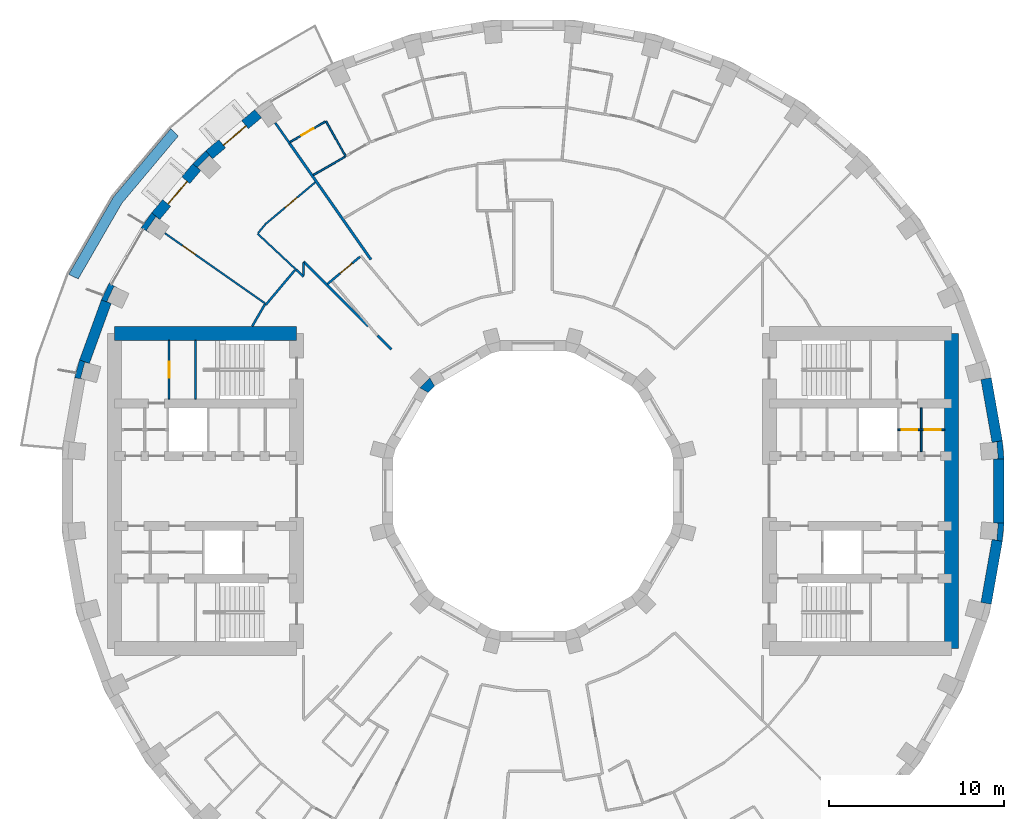
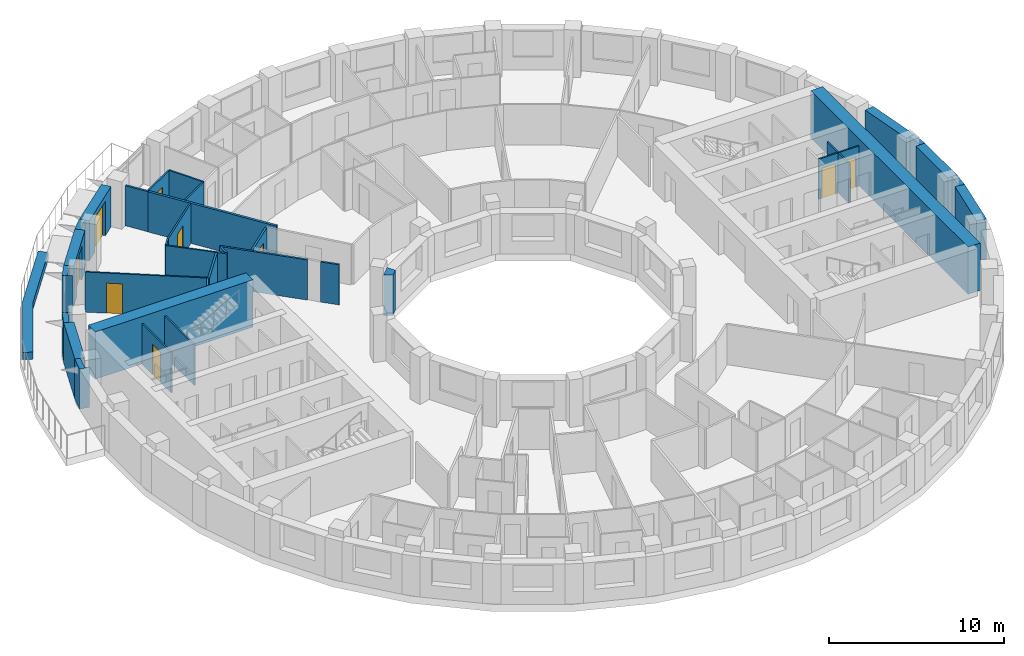
# One storey, part 10 of 14: 37 walls, 9 doors, 9 openings.
"""IFC4 building model written with IfcOpenShell, lengths in metres."""

from ifc_helpers import new_model, si_unit, direction, frame, frame_2d, origin, place, context, subcontext, project, spatial, polyline, rectangle, outline, extrude, material, layer, layer_set, type_object, element, fill, save


model = new_model("IFC4")

# Units and contexts
model_context = context("Model", 3, precision=1e-05, world=origin(), true_north=direction((0.0, 1.0)))
body_context = subcontext(model_context, "Body", "Model", "MODEL_VIEW")
ifc_project = project(units=[si_unit("LENGTHUNIT", "METRE"), si_unit("AREAUNIT", "SQUARE_METRE"), si_unit("VOLUMEUNIT", "CUBIC_METRE"), si_unit("PLANEANGLEUNIT", "RADIAN"), si_unit("MASSUNIT", "GRAM", prefix="KILO")], contexts=[model_context])

# Site, building, storey
site_placement = place(None, origin())
site = spatial("IfcSite", under=ifc_project, at=site_placement, CompositionType="ELEMENT")
building_placement = place(site_placement, origin())
building = spatial("IfcBuilding", under=site, at=building_placement, Name="Saqina Gate Tower", CompositionType="ELEMENT")
storey_placement = place(building_placement, frame((0.0, 0.0, 105.10009765625)))
storey = spatial("IfcBuildingStorey", under=building, at=storey_placement, Name="L29", CompositionType="ELEMENT", Elevation=105.10009765625)

# Walls
ifc_material_1 = material(Name="Brick masonry (buff)", Category="masonry")
wall_type_1 = type_object("IfcWallType", Name="BRICK PIER COPING BUFF", PredefinedType="SOLIDWALL", material=ifc_material_1)
wall_1_placement = place(storey_placement, origin())
element("IfcWall", 1, at=wall_1_placement, inside=storey, type_object=wall_type_1, Name="Pier cap L29 column 1", PredefinedType="SOLIDWALL", context=body_context, shape_type="SweptSolid", body=[
    extrude(outline(polyline([(26.805419921875, 2.87451171875), (26.214599609375, 2.770263671875), (26.482421875, 2.793701171875), (26.565185546875, 1.847412109375), (26.29736328125, 1.823974609375), (26.897216796875, 1.823974609375), (26.805419921875, 2.87451171875)])), origin(), (0.0, 0.0, 1.0), 2.7998046875),
])
wall_2_placement = place(storey_placement, origin())
element("IfcWall", 2, at=wall_2_placement, inside=storey, type_object=wall_type_1, Name="Pier cap L29 column 14", PredefinedType="SOLIDWALL", context=body_context, shape_type="SweptSolid", body=[
    extrude(outline(polyline([(-18.686279296875, 19.43212890625), (-19.43212890625, 18.686279296875), (-18.972412109375, 18.30078125), (-19.16259765625, 18.49072265625), (-18.49072265625, 19.16259765625), (-18.30078125, 18.972412109375), (-18.686279296875, 19.43212890625)])), origin(), (0.0, 0.0, 1.0), 2.7998046875),
])
wall_3_placement = place(storey_placement, origin())
element("IfcWall", 3, at=wall_3_placement, inside=storey, type_object=wall_type_1, Name="Pier cap L29 column 15", PredefinedType="SOLIDWALL", context=body_context, shape_type="SweptSolid", body=[
    extrude(outline(polyline([(-22.3818359375, 15.0283203125), (-21.862060546875, 14.728271484375), (-22.08251953125, 14.88232421875), (-21.53759765625, 15.66064453125), (-21.317138671875, 15.50634765625), (-21.77685546875, 15.89208984375), (-22.3818359375, 15.0283203125)])), origin(), (0.0, 0.0, 1.0), 2.7998046875),
])
wall_4_placement = place(storey_placement, origin())
element("IfcWall", 4, at=wall_4_placement, inside=storey, type_object=wall_type_1, Name="Pier cap L29 column 16", PredefinedType="SOLIDWALL", context=body_context, shape_type="SweptSolid", body=[
    extrude(outline(polyline([(-24.6513671875, 10.913330078125), (-24.08740234375, 10.7080078125), (-24.331298828125, 10.82177734375), (-23.9296875, 11.6826171875), (-23.68603515625, 11.569091796875), (-24.205810546875, 11.869140625), (-24.6513671875, 10.913330078125)])), origin(), (0.0, 0.0, 1.0), 2.7998046875),
])
wall_5_placement = place(storey_placement, origin())
element("IfcWall", 5, at=wall_5_placement, inside=storey, type_object=wall_type_1, Name="Pier cap L29 column 17", PredefinedType="SOLIDWALL", context=body_context, shape_type="SweptSolid", body=[
    extrude(outline(polyline([(-25.89892578125, 7.485595703125), (-26.171875, 6.466796875), (-25.5810546875, 6.36279296875), (-25.8408203125, 6.43212890625), (-25.5947265625, 7.349853515625), (-25.335205078125, 7.2802734375), (-25.89892578125, 7.485595703125)])), origin(), (0.0, 0.0, 1.0), 2.7998046875),
])
wall_6_placement = place(storey_placement, origin())
element("IfcWall", 6, at=wall_6_placement, inside=storey, type_object=wall_type_1, Name="Pier cap L29 column 36", PredefinedType="SOLIDWALL", context=body_context, shape_type="SweptSolid", body=[
    extrude(outline(polyline([(26.805419921875, -2.87451171875), (26.897216796875, -1.823974609375), (26.29736328125, -1.823974609375), (26.565185546875, -1.847412109375), (26.482421875, -2.793701171875), (26.214599609375, -2.770263671875), (26.805419921875, -2.87451171875)])), origin(), (0.0, 0.0, 1.0), 2.7998046875),
])
ifc_material_2 = material(Name="Gypsum board on steel studs", Category="steel")
ifc_layer_1 = layer(ifc_material_2, 0.10009765625)
ifc_layer_set_1 = layer_set([ifc_layer_1], Name="CORE PARTITION")
wall_type_2 = type_object("IfcWallType", Name="CORE PARTITION", PredefinedType="PARTITIONING", material=ifc_layer_set_1)
wall_7_placement = place(storey_placement, frame((22.169921875, 2.25, 0.0), z_axis=(0.0, 0.0, 1.0), x_axis=(0.0, 1.0, 0.0)))
element("IfcWall", 7, at=wall_7_placement, inside=storey, type_object=wall_type_2, Name="L29-CP-E05", PredefinedType="PARTITIONING", context=body_context, shape_type="SweptSolid", body=[
    extrude(rectangle(XDim=2.5, YDim=0.10009765625, at=frame_2d((1.25, 0.0))), origin(), (0.0, 0.0, 1.0), 2.7998046875),
])

# Wall, opening, door
wall_8_placement = place(storey_placement, frame((20.840087890625, 3.5, 0.0), z_axis=(0.0, 0.0, 1.0), x_axis=(1.0, 0.0, 0.0)))
wall_8 = element("IfcWall", 8, at=wall_8_placement, inside=storey, type_object=wall_type_2, Name="L29-CP-E09", PredefinedType="PARTITIONING", context=body_context, shape_type="SweptSolid", body=[
    extrude(rectangle(XDim=1.329833984375, YDim=0.10009765625, at=frame_2d((0.6650390625, 0.0))), origin(), (0.0, 0.0, 1.0), 2.7998046875),
])
opening_1_placement = place(wall_8_placement, frame((0.215087890625, 0.0, 0.0)))
opening_1 = element("IfcOpeningElement", 9, at=opening_1_placement, cuts=wall_8, Name="Opening G08-D99", PredefinedType="OPENING", context=body_context, shape_type="SweptSolid", body=[
    extrude(rectangle(XDim=0.89990234375, YDim=2.10009765625, at=frame_2d((0.449951171875, 1.050048828125))), frame((0.0, 0.06201171875, 0.0), z_axis=(0.0, -1.0, 0.0), x_axis=(1.0, 0.0, 0.0)), (0.0, 0.0, 1.0), 0.1240234375),
])
ifc_material_3 = material(Name="Steel-framed fire door leaf, EI 60", Category="steel")
door_type_1 = type_object("IfcDoorType", Name="SERVICE ROOM DOOR 900", OperationType="SINGLE_SWING_LEFT", PredefinedType="DOOR", material=ifc_material_3)
door_1_placement = place(opening_1_placement, origin())
door_1 = element("IfcDoor", 10, at=door_1_placement, inside=storey, type_object=door_type_1, Name="L29-CD-E10", OperationType="SINGLE_SWING_LEFT", OverallHeight=2.10009765625, OverallWidth=0.89990234375, PredefinedType="DOOR", context=body_context, shape_type="SweptSolid", body=[
    extrude(rectangle(XDim=0.89990234375, YDim=2.10009765625, at=frame_2d((0.449951171875, 1.050048828125))), frame((0.0, 0.02490234375, 0.0), z_axis=(0.0, -1.0, 0.0), x_axis=(1.0, 0.0, 0.0)), (0.0, 0.0, 1.0), 0.050048828125),
])
fill(opening_1, door_1)

wall_9_placement = place(storey_placement, frame((22.169921875, 3.5, 0.0), z_axis=(0.0, 0.0, 1.0), x_axis=(1.0, 0.0, 0.0)))
wall_9 = element("IfcWall", 11, at=wall_9_placement, inside=storey, type_object=wall_type_2, Name="L29-CP-E10", PredefinedType="PARTITIONING", context=body_context, shape_type="SweptSolid", body=[
    extrude(rectangle(XDim=1.330078125, YDim=0.10009765625, at=frame_2d((0.6650390625, 0.0))), origin(), (0.0, 0.0, 1.0), 2.7998046875),
])
opening_2_placement = place(wall_9_placement, frame((0.215087890625, 0.0, 0.0)))
opening_2 = element("IfcOpeningElement", 12, at=opening_2_placement, cuts=wall_9, Name="Opening G08-D98", PredefinedType="OPENING", context=body_context, shape_type="SweptSolid", body=[
    extrude(rectangle(XDim=0.89990234375, YDim=2.10009765625, at=frame_2d((0.449951171875, 1.050048828125))), frame((0.0, 0.06201171875, 0.0), z_axis=(0.0, -1.0, 0.0), x_axis=(1.0, 0.0, 0.0)), (0.0, 0.0, 1.0), 0.1240234375),
])
door_2_placement = place(opening_2_placement, origin())
door_2 = element("IfcDoor", 13, at=door_2_placement, inside=storey, type_object=door_type_1, Name="L29-CD-E09", OperationType="SINGLE_SWING_RIGHT", OverallHeight=2.10009765625, OverallWidth=0.89990234375, PredefinedType="DOOR", context=body_context, shape_type="SweptSolid", body=[
    extrude(rectangle(XDim=0.89990234375, YDim=2.10009765625, at=frame_2d((0.449951171875, 1.050048828125))), frame((0.0, 0.02490234375, 0.0), z_axis=(0.0, -1.0, 0.0), x_axis=(1.0, 0.0, 0.0)), (0.0, 0.0, 1.0), 0.050048828125),
])
fill(opening_2, door_2)

wall_10_placement = place(storey_placement, frame((-20.782958984375, 5.25, 0.0), z_axis=(0.0, 0.0, 1.0), x_axis=(0.0, 1.0, 0.0)))
wall_10 = element("IfcWall", 14, at=wall_10_placement, inside=storey, type_object=wall_type_2, Name="L29-CP-W14", PredefinedType="PARTITIONING", context=body_context, shape_type="SweptSolid", body=[
    extrude(rectangle(XDim=3.35009765625, YDim=0.10009765625, at=frame_2d((1.675048828125, 0.0))), origin(), (0.0, 0.0, 1.0), 2.7998046875),
])
opening_3_placement = place(wall_10_placement, frame((1.22509765625, 0.0, 0.0)))
opening_3 = element("IfcOpeningElement", 15, at=opening_3_placement, cuts=wall_10, Name="Opening G08-D120", PredefinedType="OPENING", context=body_context, shape_type="SweptSolid", body=[
    extrude(rectangle(XDim=0.89990234375, YDim=2.10009765625, at=frame_2d((0.449951171875, 1.050048828125))), frame((0.0, 0.06201171875, 0.0), z_axis=(0.0, -1.0, 0.0), x_axis=(1.0, 0.0, 0.0)), (0.0, 0.0, 1.0), 0.1240234375),
])
door_3_placement = place(opening_3_placement, origin())
door_3 = element("IfcDoor", 16, at=door_3_placement, inside=storey, type_object=door_type_1, Name="L29-CD-W31", OperationType="SINGLE_SWING_RIGHT", OverallHeight=2.10009765625, OverallWidth=0.89990234375, PredefinedType="DOOR", context=body_context, shape_type="SweptSolid", body=[
    extrude(rectangle(XDim=0.89990234375, YDim=2.10009765625, at=frame_2d((0.449951171875, 1.050048828125))), frame((0.0, 0.02490234375, 0.0), z_axis=(0.0, -1.0, 0.0), x_axis=(1.0, 0.0, 0.0)), (0.0, 0.0, 1.0), 0.050048828125),
])
fill(opening_3, door_3)

ifc_material_4 = material(Name="Brick masonry (buff)", Category="masonry")
ifc_layer_2 = layer(ifc_material_4, 0.60009765625)
ifc_layer_set_2 = layer_set([ifc_layer_2], Name="FW-BRICK-BUFF")
wall_type_3 = type_object("IfcWallType", Name="FW-BRICK-BUFF", PredefinedType="SOLIDWALL", material=ifc_layer_set_2)
wall_11_placement = place(storey_placement, frame((-15.69921875, 21.547119140625, 0.0), z_axis=(0.0, 0.0, 1.0), x_axis=(-0.766055462616, -0.642774476932, 0.0)))
wall_11 = element("IfcWall", 17, at=wall_11_placement, inside=storey, type_object=wall_type_3, Name="Facade wall L29 facet 13", PredefinedType="SOLIDWALL", context=body_context, shape_type="SweptSolid", body=[
    extrude(rectangle(XDim=3.647705078125, YDim=0.60009765625, at=frame_2d((1.82373046875, 0.0))), origin(), (0.0, 0.0, 1.0), 2.7998046875),
])
opening_4_placement = place(wall_11_placement, frame((0.973876953125, 0.0, 0.0)))
opening_4 = element("IfcOpeningElement", 18, at=opening_4_placement, cuts=wall_11, Name="Opening G08-D80", PredefinedType="OPENING", context=body_context, shape_type="SweptSolid", body=[
    extrude(rectangle(XDim=1.699951171875, YDim=2.39990234375, at=frame_2d((0.85009765625, 1.199951171875))), frame((0.0, 0.31201171875, 0.0), z_axis=(0.0, -1.0, 0.0), x_axis=(1.0, 0.0, 0.0)), (0.0, 0.0, 1.0), 0.6240234375),
])
ifc_material_5 = material(Name="Aluminium glazing", Category="aluminium")
door_type_2 = type_object("IfcDoorType", Name="GD-B", OperationType="DOUBLE_DOOR_SINGLE_SWING", PredefinedType="DOOR", material=ifc_material_5)
door_4_placement = place(opening_4_placement, frame((1.699951171875, 0.0, 0.0), z_axis=(0.0, 0.0, 1.0), x_axis=(-1.0, 0.0, 0.0)))
door_4 = element("IfcDoor", 19, at=door_4_placement, inside=storey, type_object=door_type_2, Name="Terrace door L29 facet 13", OperationType="DOUBLE_DOOR_SINGLE_SWING", OverallHeight=2.39990234375, OverallWidth=1.699951171875, PredefinedType="DOOR", context=body_context, shape_type="SweptSolid", body=[
    extrude(rectangle(XDim=1.699951171875, YDim=2.39990234375, at=frame_2d((0.85009765625, 1.199951171875))), frame((0.0, -0.0751953125, 0.0), z_axis=(0.0, -1.0, 0.0), x_axis=(1.0, 0.0, 0.0)), (0.0, 0.0, 1.0), 0.050048828125),
])
fill(opening_4, door_4)

wall_12_placement = place(storey_placement, frame((-19.202392578125, 18.49365234375, 0.0), z_axis=(0.0, 0.0, 1.0), x_axis=(-0.642774476932, -0.766055462616, 0.0)))
wall_12 = element("IfcWall", 20, at=wall_12_placement, inside=storey, type_object=wall_type_3, Name="Facade wall L29 facet 14", PredefinedType="SOLIDWALL", context=body_context, shape_type="SweptSolid", body=[
    extrude(rectangle(XDim=3.647705078125, YDim=0.60009765625, at=frame_2d((1.82373046875, 0.0))), origin(), (0.0, 0.0, 1.0), 2.7998046875),
])
opening_5_placement = place(wall_12_placement, frame((0.973876953125, 0.0, 0.0)))
opening_5 = element("IfcOpeningElement", 21, at=opening_5_placement, cuts=wall_12, Name="Opening G08-D81", PredefinedType="OPENING", context=body_context, shape_type="SweptSolid", body=[
    extrude(rectangle(XDim=1.699951171875, YDim=2.39990234375, at=frame_2d((0.85009765625, 1.199951171875))), frame((0.0, 0.31201171875, 0.0), z_axis=(0.0, -1.0, 0.0), x_axis=(1.0, 0.0, 0.0)), (0.0, 0.0, 1.0), 0.6240234375),
])
door_5_placement = place(opening_5_placement, frame((1.699951171875, 0.0, 0.0), z_axis=(0.0, 0.0, 1.0), x_axis=(-1.0, 0.0, 0.0)))
door_5 = element("IfcDoor", 22, at=door_5_placement, inside=storey, type_object=door_type_2, Name="Terrace door L29 facet 14", OperationType="DOUBLE_DOOR_SINGLE_SWING", OverallHeight=2.39990234375, OverallWidth=1.699951171875, PredefinedType="DOOR", context=body_context, shape_type="SweptSolid", body=[
    extrude(rectangle(XDim=1.699951171875, YDim=2.39990234375, at=frame_2d((0.85009765625, 1.199951171875))), frame((0.0, -0.0751953125, 0.0), z_axis=(0.0, -1.0, 0.0), x_axis=(1.0, 0.0, 0.0)), (0.0, 0.0, 1.0), 0.050048828125),
])
fill(opening_5, door_5)

# Walls
ifc_material_6 = material(Name="Glazed ceramic tile", Category="ceramic")
ifc_layer_3 = layer(ifc_material_6, 0.60009765625)
ifc_layer_set_3 = layer_set([ifc_layer_3], Name="FW-TILE")
wall_type_4 = type_object("IfcWallType", Name="FW-TILE", PredefinedType="SOLIDWALL", material=ifc_layer_set_3)
for number, where, z_axis, x_axis, name in (
    (23, (-24.369384765625, 10.810791015625, 0.0), (0.0, 0.0, 1.0), (-0.341990236633, -0.939703505393, 0.0), "Facade wall L29 facet 16"),
    (24, (26.59716796875, -1.823974609375, 0.0), (0.0, 0.0, 1.0), (0.0, 1.0, 0.0), "Facade wall L29 facet 36"),
):
    element("IfcWall", number, at=place(storey_placement, frame(where, z_axis=z_axis, x_axis=x_axis)), inside=storey, type_object=wall_type_4, Name=name, PredefinedType="SOLIDWALL", context=body_context, shape_type="SweptSolid", body=[
        extrude(rectangle(XDim=3.64794921875, YDim=0.60009765625, at=frame_2d((1.823974609375, 0.0))), origin(), (0.0, 0.0, 1.0), 2.7998046875),
    ])
ifc_material_7 = material(Name="Glazed ceramic tile (dark blue)", Category="ceramic")
ifc_layer_4 = layer(ifc_material_7, 0.60009765625)
ifc_layer_set_4 = layer_set([ifc_layer_4], Name="FW-TILE-CB")
wall_type_5 = type_object("IfcWallType", Name="FW-TILE-CB", PredefinedType="SOLIDWALL", material=ifc_layer_set_4)
wall_13_placement = place(storey_placement, frame((26.510009765625, 2.822265625, 0.0), z_axis=(0.0, 0.0, 1.0), x_axis=(-0.173670796382, 0.984803764455, 0.0)))
element("IfcWall", 25, at=wall_13_placement, inside=storey, type_object=wall_type_5, Name="Facade wall L29 facet 1", PredefinedType="SOLIDWALL", context=body_context, shape_type="SweptSolid", body=[
    extrude(rectangle(XDim=3.64794921875, YDim=0.60009765625, at=frame_2d((1.823974609375, 0.0))), origin(), (0.0, 0.0, 1.0), 2.7998046875),
])
ifc_material_8 = material(Name="Glazed ceramic tile (white)", Category="ceramic")
ifc_layer_5 = layer(ifc_material_8, 0.60009765625)
ifc_layer_set_5 = layer_set([ifc_layer_5], Name="FW-TILE-WH")
wall_type_6 = type_object("IfcWallType", Name="FW-TILE-WH", PredefinedType="SOLIDWALL", material=ifc_layer_set_5)
wall_14_placement = place(storey_placement, frame((25.87646484375, -6.414794921875, 0.0), z_axis=(0.0, 0.0, 1.0), x_axis=(0.173670796382, 0.984803764455, 0.0)))
element("IfcWall", 26, at=wall_14_placement, inside=storey, type_object=wall_type_6, Name="Facade wall L29 facet 35", PredefinedType="SOLIDWALL", context=body_context, shape_type="SweptSolid", body=[
    extrude(rectangle(XDim=3.64794921875, YDim=0.60009765625, at=frame_2d((1.823974609375, 0.0))), origin(), (0.0, 0.0, 1.0), 2.7998046875),
])
ifc_material_9 = material(Name="Gypsum board on steel studs, 100 mm", Category="steel")
ifc_layer_6 = layer(ifc_material_9, 0.10009765625)
ifc_layer_set_6 = layer_set([ifc_layer_6], Name="PARTITION 100")
wall_type_7 = type_object("IfcWallType", Name="PARTITION 100", PredefinedType="PARTITIONING", material=ifc_layer_set_6)
wall_15_placement = place(storey_placement, frame((-11.822021484375, 21.114990234375, 0.0), z_axis=(0.0, 0.0, 1.0), x_axis=(0.488622759198, -0.872495157117, 0.0)))
element("IfcWall", 27, at=wall_15_placement, inside=storey, type_object=wall_type_7, Name="PARTITION PW3-14", PredefinedType="PARTITIONING", context=body_context, shape_type="SweptSolid", body=[
    extrude(rectangle(XDim=2.30029296875, YDim=0.10009765625, at=frame_2d((1.150146484375, 0.0))), origin(), (0.0, 0.0, 1.0), 2.7998046875),
])
wall_16_placement = place(storey_placement, frame((-15.73095703125, 14.697021484375, 0.0), z_axis=(0.0, 0.0, 1.0), x_axis=(0.730698385908, -0.682700423928, 0.0)))
element("IfcWall", 28, at=wall_16_placement, inside=storey, type_object=wall_type_7, Name="PARTITION PW3-22", PredefinedType="PARTITIONING", context=body_context, shape_type="SweptSolid", body=[
    extrude(rectangle(XDim=3.0263671875, YDim=0.10009765625, at=frame_2d((1.51318359375, 0.0))), origin(), (0.0, 0.0, 1.0), 2.7998046875),
])

# Wall, opening, door
wall_17_placement = place(storey_placement, frame((-21.023681640625, 14.720703125, 0.0), z_axis=(0.0, 0.0, 1.0), x_axis=(0.81911727686, -0.573626086183, 0.0)))
wall_17 = element("IfcWall", 29, at=wall_17_placement, inside=storey, type_object=wall_type_7, Name="PARTITION PW3-27", PredefinedType="PARTITIONING", context=body_context, shape_type="SweptSolid", body=[
    extrude(rectangle(XDim=7.004150390625, YDim=0.10009765625, at=frame_2d((3.501953125, 0.0))), origin(), (0.0, 0.0, 1.0), 2.7998046875),
])
opening_6_placement = place(wall_17_placement, frame((1.226318359375, 0.0, 0.0)))
opening_6 = element("IfcOpeningElement", 30, at=opening_6_placement, cuts=wall_17, Name="Opening G08-D21", PredefinedType="OPENING", context=body_context, shape_type="SweptSolid", body=[
    extrude(rectangle(XDim=0.89990234375, YDim=2.10009765625, at=frame_2d((0.449951171875, 1.050048828125))), frame((0.0, 0.06201171875, 0.0), z_axis=(0.0, -1.0, 0.0), x_axis=(1.0, 0.0, 0.0)), (0.0, 0.0, 1.0), 0.1240234375),
])
ifc_material_10 = material(Name="Timber door leaf, 900 mm", Category="wood")
door_type_3 = type_object("IfcDoorType", Name="DOOR 900 TIMBER", OperationType="SINGLE_SWING_LEFT", PredefinedType="DOOR", material=ifc_material_10)
door_6_placement = place(opening_6_placement, origin())
door_6 = element("IfcDoor", 31, at=door_6_placement, inside=storey, type_object=door_type_3, Name="DOOR G08-D21", OperationType="SINGLE_SWING_LEFT", OverallHeight=2.10009765625, OverallWidth=0.89990234375, PredefinedType="DOOR", context=body_context, shape_type="SweptSolid", body=[
    extrude(rectangle(XDim=0.89990234375, YDim=2.10009765625, at=frame_2d((0.449951171875, 1.050048828125))), frame((0.0, 0.02490234375, 0.0), z_axis=(0.0, -1.0, 0.0), x_axis=(1.0, 0.0, 0.0)), (0.0, 0.0, 1.0), 0.050048828125),
])
fill(opening_6, door_6)

# Wall
wall_18_placement = place(storey_placement, frame((-12.5419921875, 18.0439453125, 0.0), z_axis=(0.0, 0.0, 1.0), x_axis=(0.866154304779, 0.499776670437, 0.0)))
element("IfcWall", 32, at=wall_18_placement, inside=storey, type_object=wall_type_7, Name="PARTITION PW3-66", PredefinedType="PARTITIONING", context=body_context, shape_type="SweptSolid", body=[
    extrude(rectangle(XDim=2.0791015625, YDim=0.10009765625, at=frame_2d((1.03955078125, 0.0))), origin(), (0.0, 0.0, 1.0), 2.7998046875),
])

# Wall, opening, door
wall_19_placement = place(storey_placement, frame((-13.866943359375, 19.9345703125, 0.0), z_axis=(0.0, 0.0, 1.0), x_axis=(0.866057184078, 0.499944950877, 0.0)))
wall_19 = element("IfcWall", 33, at=wall_19_placement, inside=storey, type_object=wall_type_7, Name="PARTITION PW3-67", PredefinedType="PARTITIONING", context=body_context, shape_type="SweptSolid", body=[
    extrude(rectangle(XDim=2.311279296875, YDim=0.10009765625, at=frame_2d((1.15576171875, 0.0))), origin(), (0.0, 0.0, 1.0), 2.7998046875),
])
opening_7_placement = place(wall_19_placement, frame((0.742919921875, 0.0, 0.0)))
opening_7 = element("IfcOpeningElement", 34, at=opening_7_placement, cuts=wall_19, Name="Opening G08-D17", PredefinedType="OPENING", context=body_context, shape_type="SweptSolid", body=[
    extrude(rectangle(XDim=0.800048828125, YDim=2.10009765625, at=frame_2d((0.39990234375, 1.050048828125))), frame((0.0, 0.06201171875, 0.0), z_axis=(0.0, -1.0, 0.0), x_axis=(1.0, 0.0, 0.0)), (0.0, 0.0, 1.0), 0.1240234375),
])
ifc_material_11 = material(Name="Timber door leaf, 800 mm", Category="wood")
door_type_4 = type_object("IfcDoorType", Name="DOOR 800 TIMBER", OperationType="SINGLE_SWING_LEFT", PredefinedType="DOOR", material=ifc_material_11)
door_7_placement = place(opening_7_placement, origin())
door_7 = element("IfcDoor", 35, at=door_7_placement, inside=storey, type_object=door_type_4, Name="DOOR G08-D17", OperationType="SINGLE_SWING_LEFT", OverallHeight=2.10009765625, OverallWidth=0.800048828125, PredefinedType="DOOR", context=body_context, shape_type="SweptSolid", body=[
    extrude(rectangle(XDim=0.800048828125, YDim=2.10009765625, at=frame_2d((0.39990234375, 1.050048828125))), frame((0.0, 0.02490234375, 0.0), z_axis=(0.0, -1.0, 0.0), x_axis=(1.0, 0.0, 0.0)), (0.0, 0.0, 1.0), 0.050048828125),
])
fill(opening_7, door_7)

wall_20_placement = place(storey_placement, frame((-15.2978515625, 15.226318359375, 0.0), z_axis=(0.0, 0.0, 1.0), x_axis=(0.766080513043, 0.642744620775, 0.0)))
wall_20 = element("IfcWall", 36, at=wall_20_placement, inside=storey, type_object=wall_type_7, Name="PARTITION PW3-70", PredefinedType="PARTITIONING", context=body_context, shape_type="SweptSolid", body=[
    extrude(rectangle(XDim=3.7373046875, YDim=0.10009765625, at=frame_2d((1.86865234375, 0.0))), origin(), (0.0, 0.0, 1.0), 2.7998046875),
])
opening_8_placement = place(wall_20_placement, frame((1.481689453125, 0.0, 0.0)))
opening_8 = element("IfcOpeningElement", 37, at=opening_8_placement, cuts=wall_20, Name="Opening G08-D20", PredefinedType="OPENING", context=body_context, shape_type="SweptSolid", body=[
    extrude(rectangle(XDim=0.89990234375, YDim=2.10009765625, at=frame_2d((0.449951171875, 1.050048828125))), frame((0.0, 0.06201171875, 0.0), z_axis=(0.0, -1.0, 0.0), x_axis=(1.0, 0.0, 0.0)), (0.0, 0.0, 1.0), 0.1240234375),
])
door_8_placement = place(opening_8_placement, origin())
door_8 = element("IfcDoor", 38, at=door_8_placement, inside=storey, type_object=door_type_3, Name="DOOR G08-D20", OperationType="SINGLE_SWING_RIGHT", OverallHeight=2.10009765625, OverallWidth=0.89990234375, PredefinedType="DOOR", context=body_context, shape_type="SweptSolid", body=[
    extrude(rectangle(XDim=0.89990234375, YDim=2.10009765625, at=frame_2d((0.449951171875, 1.050048828125))), frame((0.0, 0.02490234375, 0.0), z_axis=(0.0, -1.0, 0.0), x_axis=(1.0, 0.0, 0.0)), (0.0, 0.0, 1.0), 0.050048828125),
])
fill(opening_8, door_8)

# Walls
wall_21_placement = place(storey_placement, frame((-15.69873046875, 14.7353515625, 0.0), z_axis=(0.0, 0.0, 1.0), x_axis=(0.642984258382, 0.765879392249, 0.0)))
element("IfcWall", 39, at=wall_21_placement, inside=storey, type_object=wall_type_7, Name="PARTITION PW3-76", PredefinedType="PARTITIONING", context=body_context, shape_type="SweptSolid", body=[
    extrude(rectangle(XDim=0.6337890625, YDim=0.10009765625, at=frame_2d((0.31689453125, 0.0))), origin(), (0.0, 0.0, 1.0), 2.7998046875),
])
ifc_material_12 = material(Name="Gypsum board on steel studs, 125 mm, fire rated", Category="steel")
ifc_layer_7 = layer(ifc_material_12, 0.125)
ifc_layer_set_7 = layer_set([ifc_layer_7], Name="PARTITION EI 30 125")
wall_type_8 = type_object("IfcWallType", Name="PARTITION EI 30 125", PredefinedType="PARTITIONING", material=ifc_layer_set_7)
wall_22_placement = place(storey_placement, frame((-14.720703125, 21.023681640625, 0.0), z_axis=(0.0, 0.0, 1.0), x_axis=(0.573405364028, -0.819271803801, 0.0)))
element("IfcWall", 40, at=wall_22_placement, inside=storey, type_object=wall_type_8, Name="PARTITION PW1-03", PredefinedType="PARTITIONING", context=body_context, shape_type="SweptSolid", body=[
    extrude(rectangle(XDim=1.437744140625, YDim=0.125, at=frame_2d((0.71875, 0.0))), origin(), (0.0, 0.0, 1.0), 2.7998046875),
])
wall_23_placement = place(storey_placement, frame((-8.875244140625, 8.876220703125, 0.0), z_axis=(0.0, 0.0, 1.0), x_axis=(0.706666079052, -0.707547208826, 0.0)))
element("IfcWall", 41, at=wall_23_placement, inside=storey, type_object=wall_type_8, Name="PARTITION PW1-08", PredefinedType="PARTITIONING", context=body_context, shape_type="SweptSolid", body=[
    extrude(rectangle(XDim=1.1083984375, YDim=0.125, at=frame_2d((0.55419921875, 0.0))), origin(), (0.0, 0.0, 1.0), 2.7998046875),
])
wall_24_placement = place(storey_placement, frame((-13.10107421875, 13.09912109375, 0.0), z_axis=(0.0, 0.0, 1.0), x_axis=(0.707106781187, -0.707106781187, 0.0)))
element("IfcWall", 42, at=wall_24_placement, inside=storey, type_object=wall_type_8, Name="PARTITION PW1-09", PredefinedType="PARTITIONING", context=body_context, shape_type="SweptSolid", body=[
    extrude(rectangle(XDim=5.202880859375, YDim=0.125, at=frame_2d((2.6015625, 0.0))), origin(), (0.0, 0.0, 1.0), 2.7998046875),
])
wall_25_placement = place(storey_placement, frame((-13.51953125, 12.630859375, 0.0), z_axis=(0.0, 0.0, 1.0), x_axis=(0.730729867614, -0.682666727311, 0.0)))
element("IfcWall", 43, at=wall_25_placement, inside=storey, type_object=wall_type_8, Name="PARTITION PW1-11", PredefinedType="PARTITIONING", context=body_context, shape_type="SweptSolid", body=[
    extrude(rectangle(XDim=0.573974609375, YDim=0.125, at=frame_2d((0.287109375, 0.0))), origin(), (0.0, 0.0, 1.0), 2.7998046875),
])

# Wall, opening, door
wall_26_placement = place(storey_placement, frame((-11.735595703125, 11.822021484375, 0.0), z_axis=(0.0, 0.0, 1.0), x_axis=(0.765966295507, 0.642880730888, 0.0)))
wall_26 = element("IfcWall", 44, at=wall_26_placement, inside=storey, type_object=wall_type_8, Name="PARTITION PW1-44", PredefinedType="PARTITIONING", context=body_context, shape_type="SweptSolid", body=[
    extrude(rectangle(XDim=2.427734375, YDim=0.125, at=frame_2d((1.2138671875, 0.0))), origin(), (0.0, 0.0, 1.0), 2.7998046875),
])
opening_9_placement = place(wall_26_placement, frame((0.940673828125, 0.0, 0.0)))
opening_9 = element("IfcOpeningElement", 45, at=opening_9_placement, cuts=wall_26, Name="Opening G08-D19", PredefinedType="OPENING", context=body_context, shape_type="SweptSolid", body=[
    extrude(rectangle(XDim=0.89990234375, YDim=2.10009765625, at=frame_2d((0.449951171875, 1.050048828125))), frame((0.0, 0.074462890625, 0.0), z_axis=(0.0, -1.0, 0.0), x_axis=(1.0, 0.0, 0.0)), (0.0, 0.0, 1.0), 0.14892578125),
])
ifc_material_13 = material(Name="Fire door leaf EI 30, 900 mm")
door_type_5 = type_object("IfcDoorType", Name="DOOR 900 EI 30", OperationType="SINGLE_SWING_LEFT", PredefinedType="DOOR", material=ifc_material_13)
door_9_placement = place(opening_9_placement, origin())
door_9 = element("IfcDoor", 46, at=door_9_placement, inside=storey, type_object=door_type_5, Name="DOOR G08-D19", OperationType="SINGLE_SWING_RIGHT", OverallHeight=2.10009765625, OverallWidth=0.89990234375, PredefinedType="DOOR", context=body_context, shape_type="SweptSolid", body=[
    extrude(rectangle(XDim=0.89990234375, YDim=2.10009765625, at=frame_2d((0.449951171875, 1.050048828125))), frame((0.0, 0.02490234375, 0.0), z_axis=(0.0, -1.0, 0.0), x_axis=(1.0, 0.0, 0.0)), (0.0, 0.0, 1.0), 0.050048828125),
])
fill(opening_9, door_9)

# Walls
wall_27_placement = place(storey_placement, frame((-15.260986328125, 10.63037109375, 0.0), z_axis=(0.0, 0.0, 1.0), x_axis=(0.642663987788, 0.766148157213, 0.0)))
element("IfcWall", 47, at=wall_27_placement, inside=storey, type_object=wall_type_8, Name="PARTITION PW1-50", PredefinedType="PARTITIONING", context=body_context, shape_type="SweptSolid", body=[
    extrude(rectangle(XDim=2.592041015625, YDim=0.125, at=frame_2d((1.2958984375, 0.0))), origin(), (0.0, 0.0, 1.0), 2.7998046875),
])
wall_28_placement = place(storey_placement, frame((-16.0390625, 9.40087890625, 0.0), z_axis=(0.0, 0.0, 1.0), x_axis=(0.499950205064, 0.866054150996, 0.0)))
element("IfcWall", 48, at=wall_28_placement, inside=storey, type_object=wall_type_8, Name="PARTITION PW1-51", PredefinedType="PARTITIONING", context=body_context, shape_type="SweptSolid", body=[
    extrude(rectangle(XDim=1.453857421875, YDim=0.125, at=frame_2d((0.72705078125, 0.0))), origin(), (0.0, 0.0, 1.0), 2.7998046875),
])
wall_29_placement = place(storey_placement, frame((-13.10009765625, 12.30859375, 0.0), z_axis=(0.0, 0.0, 1.0), x_axis=(0.0, 1.0, 0.0)))
element("IfcWall", 49, at=wall_29_placement, inside=storey, type_object=wall_type_8, Name="PARTITION PW1-60", PredefinedType="PARTITIONING", context=body_context, shape_type="SweptSolid", body=[
    extrude(rectangle(XDim=0.72802734375, YDim=0.125, at=frame_2d((0.364013671875, 0.0))), origin(), (0.0, 0.0, 1.0), 2.7998046875),
])
ifc_material_14 = material(Name="Gypsum board on steel studs, 150 mm, fire rated", Category="steel")
ifc_layer_8 = layer(ifc_material_14, 0.14990234375)
ifc_layer_set_8 = layer_set([ifc_layer_8], Name="PARTITION EI 60 150")
wall_type_9 = type_object("IfcWallType", Name="PARTITION EI 60 150", PredefinedType="PARTITIONING", material=ifc_layer_set_8)
wall_30_placement = place(storey_placement, frame((-13.896240234375, 19.845703125, 0.0), z_axis=(0.0, 0.0, 1.0), x_axis=(0.573571733859, -0.819155336989, 0.0)))
element("IfcWall", 50, at=wall_30_placement, inside=storey, type_object=wall_type_9, Name="PARTITION PW2-01", PredefinedType="PARTITIONING", context=body_context, shape_type="SweptSolid", body=[
    extrude(rectangle(XDim=8.088134765625, YDim=0.14990234375, at=frame_2d((4.0439453125, 0.0))), origin(), (0.0, 0.0, 1.0), 2.7998046875),
])
ifc_material_15 = material(Name="Brick masonry (red)", Category="masonry")
ifc_layer_9 = layer(ifc_material_15, 0.60009765625)
ifc_layer_set_9 = layer_set([ifc_layer_9], Name="PL-PLANTER")
wall_type_10 = type_object("IfcWallType", Name="PL-PLANTER", PredefinedType="PARAPET", material=ifc_layer_set_9)
wall_31_placement = place(storey_placement, origin())
element("IfcWall", 51, at=wall_31_placement, inside=storey, type_object=wall_type_10, Name="Planter L29", PredefinedType="PARAPET", context=body_context, shape_type="SweptSolid", body=[
    extrude(outline(polyline([(-20.68896484375, 20.68896484375), (-23.96728515625, 16.781982421875), (-26.517333984375, 12.365234375), (-25.971435546875, 12.110595703125), (-23.473876953125, 16.4365234375), (-20.26318359375, 20.26318359375), (-20.68896484375, 20.68896484375)])), origin(), (0.0, 0.0, 1.0), 0.5),
])
ifc_material_16 = material(Name="Autoclaved aerated concrete block", Category="concrete")
ifc_layer_10 = layer(ifc_material_16, 0.10009765625)
ifc_layer_set_10 = layer_set([ifc_layer_10], Name="STAIR ENCLOSURE WALL")
wall_type_11 = type_object("IfcWallType", Name="STAIR ENCLOSURE WALL", PredefinedType="PARTITIONING", material=ifc_layer_set_10)
wall_32_placement = place(storey_placement, frame((-19.27001953125, 5.25, 0.0), z_axis=(0.0, 0.0, 1.0), x_axis=(0.0, 1.0, 0.0)))
element("IfcWall", 52, at=wall_32_placement, inside=storey, type_object=wall_type_11, Name="L29-CP-W13", PredefinedType="PARTITIONING", context=body_context, shape_type="SweptSolid", body=[
    extrude(rectangle(XDim=3.35009765625, YDim=0.10009765625, at=frame_2d((1.675048828125, 0.0))), origin(), (0.0, 0.0, 1.0), 2.7998046875),
])
ifc_material_17 = material(Name="Concrete C70/85", Category="concrete")
ifc_layer_11 = layer(ifc_material_17, 0.800048828125)
ifc_layer_set_11 = layer_set([ifc_layer_11], Name="Concrete C70/85")
wall_type_12 = type_object("IfcWallType", Name="STR-CORE WALL-B-O", PredefinedType="SHEAR", material=ifc_layer_set_11)
wall_33_placement = place(storey_placement, frame((23.89990234375, -9.0, 0.0), z_axis=(0.0, 0.0, 1.0), x_axis=(0.0, 1.0, 0.0)))
element("IfcWall", 53, at=wall_33_placement, inside=storey, type_object=wall_type_12, Name="CORE WALL L29 E-W2", PredefinedType="SHEAR", context=body_context, shape_type="SweptSolid", body=[
    extrude(rectangle(XDim=18.0, YDim=0.800048828125, at=frame_2d((9.0, 0.0))), origin(), (0.0, 0.0, 1.0), 3.2998046875),
])
wall_34_placement = place(storey_placement, frame((-13.5, 9.0, 0.0), z_axis=(0.0, 0.0, 1.0), x_axis=(-1.0, 0.0, 0.0)))
element("IfcWall", 54, at=wall_34_placement, inside=storey, type_object=wall_type_12, Name="CORE WALL L29 W-NE", PredefinedType="SHEAR", context=body_context, shape_type="SweptSolid", body=[
    extrude(rectangle(XDim=10.39990234375, YDim=0.800048828125, at=frame_2d((5.199951171875, 0.0))), origin(), (0.0, 0.0, 1.0), 3.2998046875),
])
ifc_material_18 = material(Name="Glazed ceramic tile", Category="ceramic")
wall_type_13 = type_object("IfcWallType", Name="TILE PIER COPING", PredefinedType="SOLIDWALL", material=ifc_material_18)
wall_35_placement = place(storey_placement, origin())
element("IfcWall", 55, at=wall_35_placement, inside=storey, type_object=wall_type_13, Name="Well pier cap L29 column 5", PredefinedType="SOLIDWALL", context=body_context, shape_type="SweptSolid", body=[
    extrude(outline(polyline([(-6.45751953125, 5.891845703125), (-5.991455078125, 5.622802734375), (-5.622802734375, 5.991455078125), (-5.891845703125, 6.45751953125), (-6.45751953125, 5.891845703125)])), origin(), (0.0, 0.0, 1.0), 2.7998046875),
])

save(model, "model.ifc")
